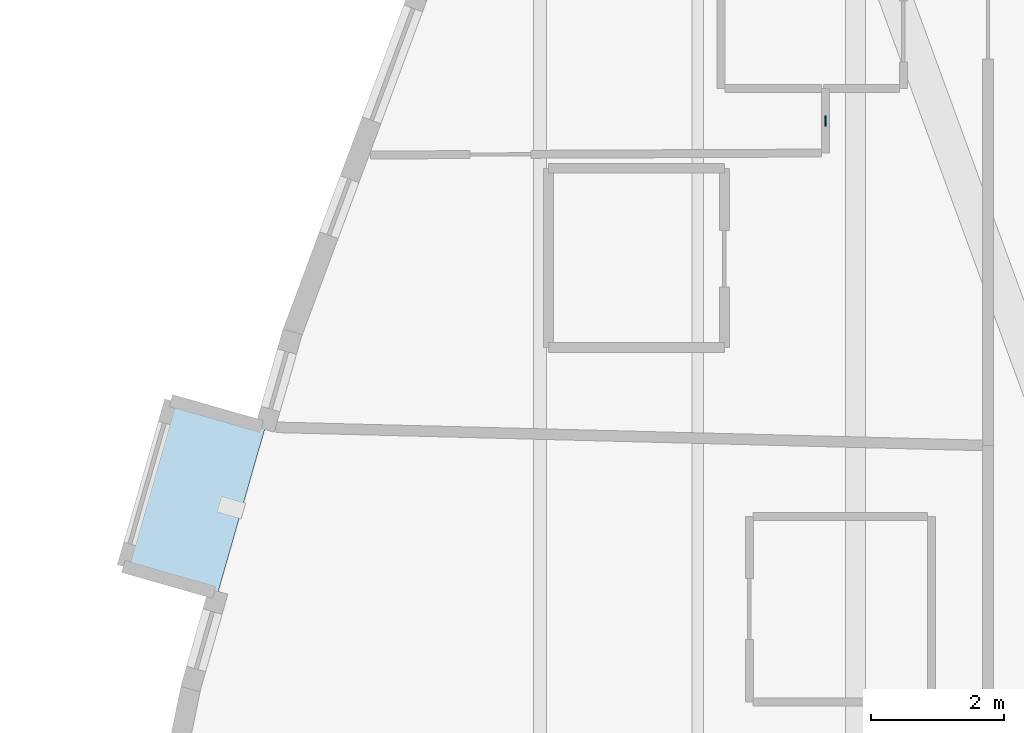
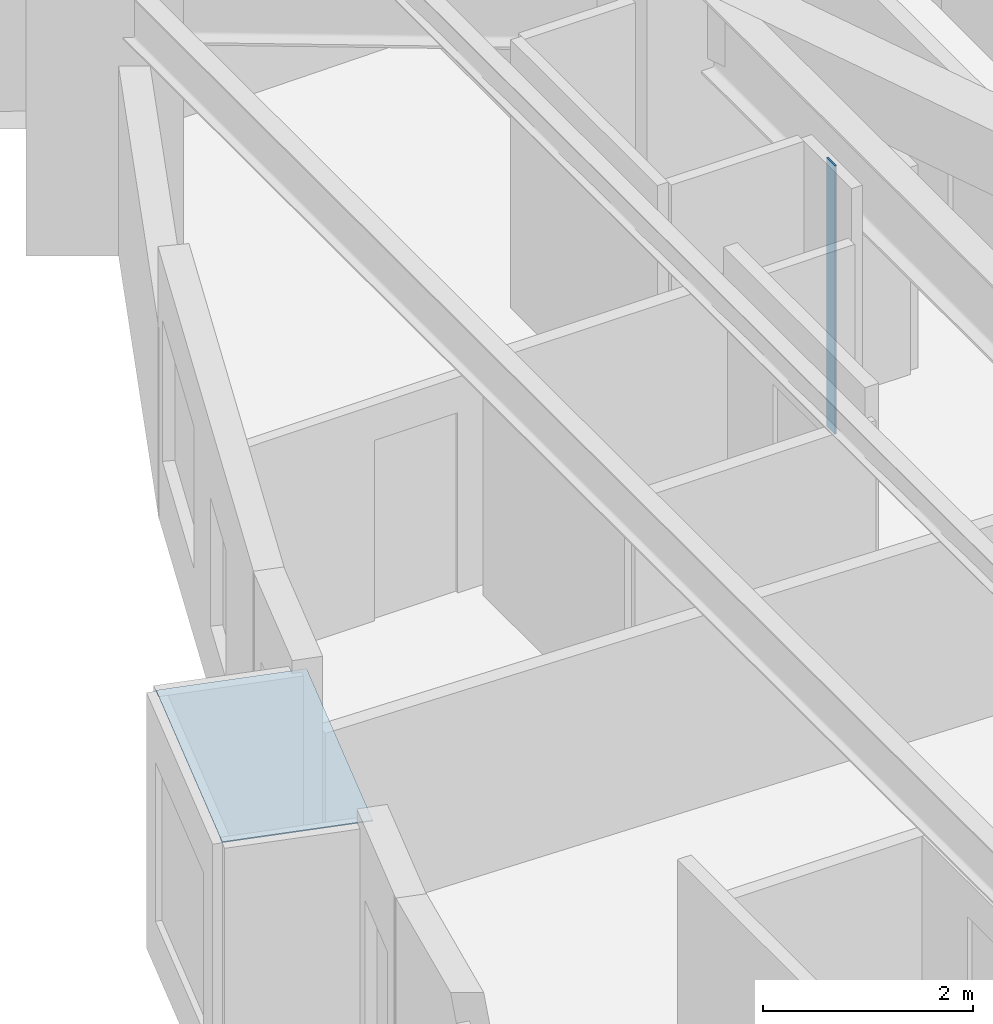
# One storey, part 4 of 15: 2 plates.
"""IFC4 building model written with IfcOpenShell, lengths in metres."""

from ifc_helpers import new_model, si_unit, direction, frame, origin, origin_2d, place, context, subcontext, project, spatial, polyline, rectangle, outline, extrude, material, layer, layer_set, type_object, element, save


model = new_model("IFC4")

# Units and contexts
model_context = context("Model", 3, precision=1e-05, world=origin(), true_north=direction((0.0, 1.0)))
body_context = subcontext(model_context, "Body", "Model", "MODEL_VIEW")
ifc_project = project(units=[si_unit("LENGTHUNIT", "METRE"), si_unit("AREAUNIT", "SQUARE_METRE"), si_unit("VOLUMEUNIT", "CUBIC_METRE"), si_unit("PLANEANGLEUNIT", "RADIAN"), si_unit("MASSUNIT", "GRAM", prefix="KILO")], contexts=[model_context])

# Site, building, storey
site_placement = place(None, origin())
site = spatial("IfcSite", under=ifc_project, at=site_placement, CompositionType="ELEMENT")
building_placement = place(site_placement, origin())
building = spatial("IfcBuilding", under=site, at=building_placement, Name="Miruveldt Soraemaru", CompositionType="ELEMENT")
storey_placement = place(building_placement, frame((0.0, 0.0, 36.0)))
storey = spatial("IfcBuildingStorey", under=building, at=storey_placement, Name="L09", CompositionType="ELEMENT", Elevation=36.0)

# Plates
ifc_material_1 = material(Name="Anodised aluminium EN AW-6063 T6", Category="aluminium")
ifc_layer_1 = layer(ifc_material_1, 0.02001953125, Name="Anodised aluminium EN AW-6063 T6", Category="aluminium")
ifc_layer_set_1 = layer_set([ifc_layer_1], Name="Anodised aluminium EN AW-6063 T6")
plate_type_1 = type_object("IfcPlateType", Name="PLT-PART-TRIM", PredefinedType="SHEET", material=ifc_layer_set_1)
plate_1_placement = place(storey_placement, frame((30.949951171875, 46.89501953125, 0.0), z_axis=(0.0, 0.0, 1.0), x_axis=(0.0, -1.0, 0.0)))
element("IfcPlate", 1, at=plate_1_placement, inside=storey, type_object=plate_type_1, Name="L09 Partition Step Corner Trim Plate 049", PredefinedType="SHEET", context=body_context, shape_type="SweptSolid", body=[
    extrude(rectangle(XDim=0.159912109375, YDim=0.02001953125, at=origin_2d()), origin(), (0.0, 0.0, 1.0), 3.125),
])
ifc_material_2 = material(Name="Standing-seam titanium-zinc sheet", Category="aluminium")
ifc_layer_2 = layer(ifc_material_2, 0.011962890625, Name="Standing-seam titanium-zinc sheet", Category="aluminium")
ifc_layer_set_2 = layer_set([ifc_layer_2], Name="Standing-seam titanium-zinc sheet")
plate_type_2 = type_object("IfcPlateType", Name="PLT-ZINC-12", PredefinedType="SHEET", material=ifc_layer_set_2)
plate_2_placement = place(storey_placement, frame((0.0, 0.0, 2.97509765625)))
element("IfcPlate", 2, at=plate_2_placement, inside=storey, type_object=plate_type_2, Name="L09 Bay Window Zinc Hood Sheet 3", PredefinedType="SHEET", context=body_context, shape_type="SweptSolid", body=[
    extrude(outline(polyline([(22.497802734375, 42.268798828125), (21.78271484375, 39.768798828125), (20.35986328125, 40.17578125), (21.07470703125, 42.67578125), (22.497802734375, 42.268798828125)])), origin(), (0.0, 0.0, 1.0), 0.011962890625),
])

save(model, "model.ifc")
